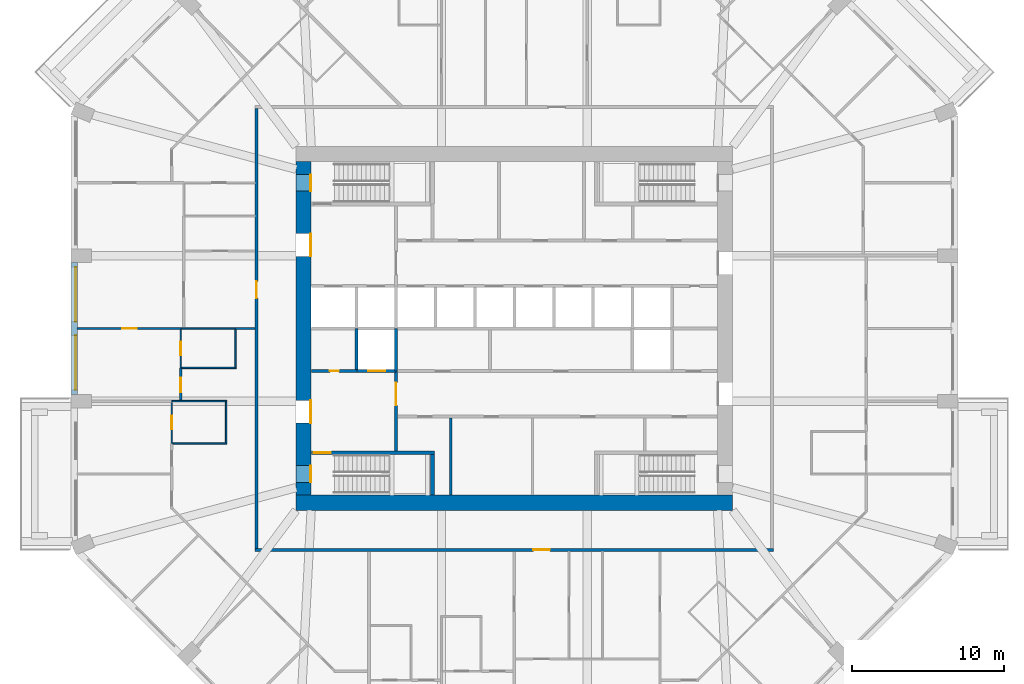
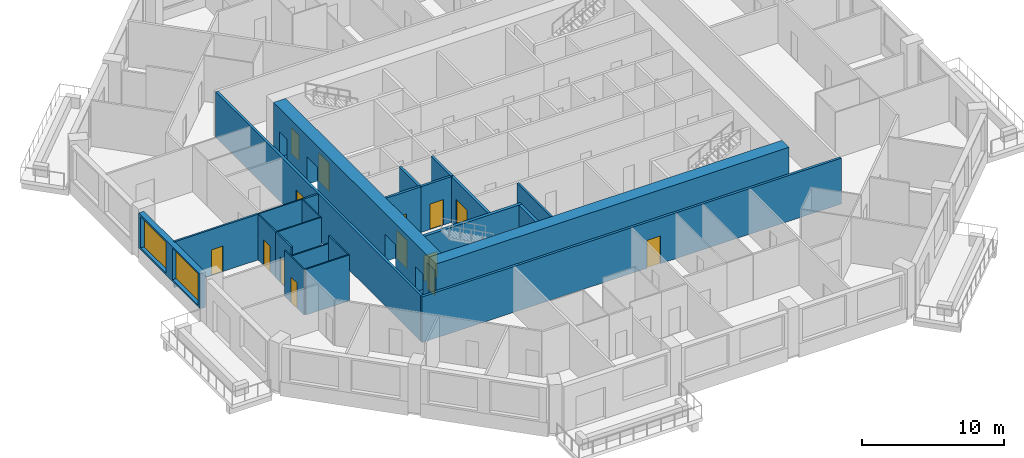
# One storey, part 4 of 13: 24 walls, 14 doors, 2 windows, 16 openings.
"""IFC4 building model written with IfcOpenShell, lengths in metres."""

import ifcopenshell
import ifcopenshell.guid

model = None  # the IFC model being written
_history = None  # IfcOwnerHistory: only IFC2X3 demands one
_inside = {}  # id of a spatial element -> (the spatial element, [elements in it])
_under = {}  # id of a project, library or spatial element -> (it, [spatial elements below it])
_declared = {}  # id of a project -> (the project, [libraries it declares])
_typed = {}  # id of a type object -> (the type object, [elements of that type])
_made_of = {}  # id of a material, layer set ... -> (it, [elements and type objects made of it])


def new_model(schema):
    """Start an empty IFC model of exactly this schema.

    Asked for "IFC4X3", IfcOpenShell would pick the latest addendum, in which some entities
    have other attributes; the version numbers below select the first issue.
    IFC2X3 requires an IfcOwnerHistory on every rooted entity: one is made here for all.
    """
    global model, _history
    if schema == "IFC4X3":
        model = ifcopenshell.file(schema_version=(4, 3, 0, 0))
    else:
        model = ifcopenshell.file(schema=schema)
    _inside.clear()
    _under.clear()
    _declared.clear()
    _typed.clear()
    _made_of.clear()
    _history = None
    if model.schema == "IFC2X3":
        org = make("IfcOrganization", Name="unknown")
        user = make(
            "IfcPersonAndOrganization",
            ThePerson=make("IfcPerson", FamilyName="unknown"),
            TheOrganization=org,
        )
        app = make(
            "IfcApplication",
            ApplicationDeveloper=org,
            Version="unknown",
            ApplicationFullName="unknown",
            ApplicationIdentifier="unknown",
        )
        _history = make(
            "IfcOwnerHistory",
            OwningUser=user,
            OwningApplication=app,
            ChangeAction="ADDED",
            CreationDate=0,
        )
    return model


def make(cls, **values):
    """One entity of the class cls with the attributes given. An attribute that is None is left unset."""
    return model.create_entity(
        cls, **{name: value for name, value in values.items() if value is not None}
    )


def rooted(cls, **values):
    """An entity with a GlobalId (a new one), such as an element, a storey or a relation."""
    return make(cls, GlobalId=ifcopenshell.guid.new(), OwnerHistory=_history, **values)


def si_unit(unit_type, name, prefix=None):
    """IfcSIUnit, for example si_unit("LENGTHUNIT", "METRE", prefix="MILLI")."""
    return make("IfcSIUnit", UnitType=unit_type, Prefix=prefix, Name=name)


def assignment(units):
    """IfcUnitAssignment: the units of a project."""
    return None if units is None else make("IfcUnitAssignment", Units=units)


def point(xyz):
    """IfcCartesianPoint."""
    return None if xyz is None else make("IfcCartesianPoint", Coordinates=xyz)


def direction(xyz):
    """IfcDirection."""
    return None if xyz is None else make("IfcDirection", DirectionRatios=xyz)


def frame(location, z_axis=None, x_axis=None):
    """IfcAxis2Placement3D, a coordinate frame: its origin and axes. An axis left out is left unset."""
    return make(
        "IfcAxis2Placement3D",
        Location=point(location),
        Axis=direction(z_axis),
        RefDirection=direction(x_axis),
    )


def frame_2d(location, x_axis=None):
    """IfcAxis2Placement2D, a coordinate frame in the plane: its origin and x axis."""
    return make(
        "IfcAxis2Placement2D", Location=point(location), RefDirection=direction(x_axis)
    )


def origin():
    """The frame at (0, 0, 0) with its axes left unset."""
    return frame((0.0, 0.0, 0.0))


def place(relative_to, where):
    """IfcLocalPlacement: puts the frame where relative to a parent placement (None: the world)."""
    return make(
        "IfcLocalPlacement", PlacementRelTo=relative_to, RelativePlacement=where
    )


def context(
    kind, dimensions, precision=None, world=None, true_north=None, identifier=None
):
    """IfcGeometricRepresentationContext, for example the 3D "Model" context."""
    return make(
        "IfcGeometricRepresentationContext",
        ContextIdentifier=identifier,
        ContextType=kind,
        CoordinateSpaceDimension=dimensions,
        Precision=precision,
        WorldCoordinateSystem=world,
        TrueNorth=true_north,
    )


def subcontext(parent, identifier, kind, view, scale=None):
    """IfcGeometricRepresentationSubContext, for example "Body" below "Model"."""
    return make(
        "IfcGeometricRepresentationSubContext",
        ContextIdentifier=identifier,
        ContextType=kind,
        ParentContext=parent,
        TargetScale=scale,
        TargetView=view,
    )


def project(units=None, contexts=None):
    """IfcProject with its units and contexts."""
    return rooted(
        "IfcProject",
        Name="project",
        RepresentationContexts=contexts,
        UnitsInContext=assignment(units),
    )


def spatial(cls, under=None, at=None, **own):
    """A site, building, storey or space (cls), placed at a placement, below another one or the project."""
    s = rooted(cls, ObjectPlacement=at, **own)
    if under is not None:
        _under.setdefault(under.id(), (under, []))[1].append(s)
    return s


def profile(cls, at=None, kind="AREA", **sizes):
    """A parametric profile (cls). Its sizes go by their IFC names, for example OverallWidth=200.0."""
    return make(cls, ProfileType=kind, Position=at, **sizes)


def rectangle(**sizes):
    """IfcRectangleProfileDef."""
    return profile("IfcRectangleProfileDef", **sizes)


def extrude(swept, where, along, depth):
    """IfcExtrudedAreaSolid: the profile swept, set in the frame where, extruded along a direction by depth."""
    return make(
        "IfcExtrudedAreaSolid",
        SweptArea=swept,
        Position=where,
        ExtrudedDirection=direction(along),
        Depth=depth,
    )


def shape(context_of_items, identifier, shape_type, items):
    """IfcShapeRepresentation: the items that make up one representation, for example the "Body"."""
    return make(
        "IfcShapeRepresentation",
        ContextOfItems=context_of_items,
        RepresentationIdentifier=identifier,
        RepresentationType=shape_type,
        Items=items,
    )


def material(Name=None, Category=None):
    """IfcMaterial."""
    return make("IfcMaterial", Name=Name, Category=Category)


def layer(
    of_material, thickness, ventilated=None, Name=None, Category=None, Priority=None
):
    """IfcMaterialLayer: one layer of a wall or slab, of a material (None: an air gap)."""
    return make(
        "IfcMaterialLayer",
        Material=of_material,
        LayerThickness=thickness,
        IsVentilated=ventilated,
        Name=Name,
        Category=Category,
        Priority=Priority,
    )


def layer_set(layers, Name=None):
    """IfcMaterialLayerSet."""
    return make("IfcMaterialLayerSet", MaterialLayers=layers, LayerSetName=Name)


def made_of(thing, what):
    """Note that an element or type object is made of a material, layer set ...; save() writes the relation."""
    if what is not None:
        _made_of.setdefault(what.id(), (what, []))[1].append(thing)
    return thing


def type_object(cls, material=None, **own):
    """A type object (cls), such as IfcWallType, which elements share."""
    return made_of(rooted(cls, **own), material)


def element(
    cls,
    number,
    at=None,
    inside=None,
    cuts=None,
    type_object=None,
    material=None,
    context=None,
    identifier="Body",
    shape_type=None,
    held_by="IfcProductDefinitionShape",
    body=None,
    shapes=None,
    **own,
):
    """One element of the class cls, such as IfcWall. Its Tag is "e" and its number.

    at: its placement. inside: the storey or other place that contains it. cuts: it is an
    opening in that element (IfcRelVoidsElement). A single representation is given by context,
    identifier, shape_type and body (its items); several are given by shapes. held_by: the class
    of the entity that holds the representations. save() writes the other relations.
    """
    e = rooted(cls, Tag="e%d" % number, ObjectPlacement=at, **own)
    if body is not None:
        shapes = [shape(context, identifier, shape_type, body)]
    if shapes is not None:
        e.Representation = make(held_by, Representations=shapes)
    if inside is not None:
        _inside.setdefault(inside.id(), (inside, []))[1].append(e)
    if cuts is not None:
        rooted(
            "IfcRelVoidsElement", RelatingBuildingElement=cuts, RelatedOpeningElement=e
        )
    if type_object is not None:
        _typed.setdefault(type_object.id(), (type_object, []))[1].append(e)
    return made_of(e, material)


def fill(opening, filler):
    """IfcRelFillsElement: the door or window that sits in an opening."""
    return rooted(
        "IfcRelFillsElement",
        RelatingOpeningElement=opening,
        RelatedBuildingElement=filler,
    )


def aggregate(whole, parts):
    """IfcRelAggregates: a whole, such as a stair, and the parts it consists of."""
    return rooted("IfcRelAggregates", RelatingObject=whole, RelatedObjects=parts)


def save(model, path):
    """Write the relations noted so far, then the file.

    IfcRelAggregates (storeys below a building ...), IfcRelContainedInSpatialStructure (elements
    in a storey), IfcRelDefinesByType, IfcRelAssociatesMaterial and IfcRelDeclares: one each for
    every whole, place, type object, material and project.
    """
    for whole, parts in _under.values():
        aggregate(whole, parts)
    for where, things in _inside.values():
        rooted(
            "IfcRelContainedInSpatialStructure",
            RelatedElements=things,
            RelatingStructure=where,
        )
    for kind, things in _typed.values():
        rooted("IfcRelDefinesByType", RelatedObjects=things, RelatingType=kind)
    for what, things in _made_of.values():
        rooted("IfcRelAssociatesMaterial", RelatedObjects=things, RelatingMaterial=what)
    for by, libraries in _declared.values():
        rooted("IfcRelDeclares", RelatingContext=by, RelatedDefinitions=libraries)
    model.write(path)


model = new_model("IFC4")

# Units and contexts
model_context = context("Model", 3, precision=1e-05, world=origin(), true_north=direction((0.0, 1.0)))
body_context = subcontext(model_context, "Body", "Model", "MODEL_VIEW")
ifc_project = project(units=[si_unit("LENGTHUNIT", "METRE"), si_unit("AREAUNIT", "SQUARE_METRE"), si_unit("VOLUMEUNIT", "CUBIC_METRE"), si_unit("PLANEANGLEUNIT", "RADIAN"), si_unit("MASSUNIT", "GRAM", prefix="KILO")], contexts=[model_context])

# Site, building, storey
site_placement = place(None, origin())
site = spatial("IfcSite", under=ifc_project, at=site_placement, CompositionType="ELEMENT")
building_placement = place(site_placement, origin())
building = spatial("IfcBuilding", under=site, at=building_placement, Name="Msitu Wima Residences", CompositionType="ELEMENT")
storey_placement = place(building_placement, frame((0.0, 0.0, 88.5)))
storey = spatial("IfcBuildingStorey", under=building, at=storey_placement, Name="L20", CompositionType="ELEMENT", Elevation=88.5)

# Wall, openings, windows
ifc_material_1 = material(Name="Brick (red buff mix)", Category="masonry")
ifc_layer_1 = layer(ifc_material_1, 0.449951171875)
ifc_layer_set_1 = layer_set([ifc_layer_1], Name="Brick (red buff mix)")
wall_type_1 = type_object("IfcWallType", Name="Brick infill wall BW450", PredefinedType="SOLIDWALL", material=ifc_layer_set_1)
wall_1_placement = place(storey_placement, frame((-29.02490234375, 4.35009765625, 0.89990234375), z_axis=(0.0, 0.0, 1.0), x_axis=(0.0, -1.0, 0.0)))
wall_1 = element("IfcWall", 1, at=wall_1_placement, inside=storey, type_object=wall_type_1, Name="Brick infill wall L20 W1", PredefinedType="SOLIDWALL", context=body_context, shape_type="SweptSolid", body=[
    extrude(rectangle(XDim=8.7001953125, YDim=0.449951171875, at=frame_2d((4.35009765625, 0.0))), origin(), (0.0, 0.0, 1.0), 3.0),
])
opening_1_placement = place(wall_1_placement, frame((0.300048828125, 0.0, 0.14990234375)))
opening_1 = element("IfcOpeningElement", 2, at=opening_1_placement, cuts=wall_1, Name="Opening W18-20.031", PredefinedType="OPENING", context=body_context, shape_type="SweptSolid", body=[
    extrude(rectangle(XDim=3.60009765625, YDim=2.699951171875, at=frame_2d((1.800048828125, 1.35009765625))), frame((0.0, 0.23486328125, 0.0), z_axis=(0.0, -1.0, 0.0), x_axis=(1.0, 0.0, 0.0)), (0.0, 0.0, 1.0), 0.469970703125),
])
opening_2_placement = place(wall_1_placement, frame((4.800048828125, 0.0, 0.14990234375)))
opening_2 = element("IfcOpeningElement", 3, at=opening_2_placement, cuts=wall_1, Name="Opening W18-20.032", PredefinedType="OPENING", context=body_context, shape_type="SweptSolid", body=[
    extrude(rectangle(XDim=3.60009765625, YDim=2.699951171875, at=frame_2d((1.800048828125, 1.35009765625))), frame((0.0, 0.23486328125, 0.0), z_axis=(0.0, -1.0, 0.0), x_axis=(1.0, 0.0, 0.0)), (0.0, 0.0, 1.0), 0.469970703125),
])
ifc_material_2 = material(Name="Anodised aluminium, bronze finish, clear low-emissivity double glazing", Category="aluminium")
window_type = type_object("IfcWindowType", Name="Window W3600x2700", PartitioningType="DOUBLE_PANEL_VERTICAL", PredefinedType="WINDOW", material=ifc_material_2)
window_1_placement = place(opening_1_placement, origin())
window_1 = element("IfcWindow", 4, at=window_1_placement, inside=storey, type_object=window_type, Name="Window L20 W1.1", OverallHeight=2.699951171875, OverallWidth=3.60009765625, PartitioningType="SINGLE_PANEL", PredefinedType="WINDOW", context=body_context, shape_type="SweptSolid", body=[
    extrude(rectangle(XDim=3.60009765625, YDim=2.699951171875, at=frame_2d((1.800048828125, 1.35009765625))), frame((0.0, 0.135009765625, 0.0), z_axis=(0.0, -1.0, 0.0), x_axis=(1.0, 0.0, 0.0)), (0.0, 0.0, 1.0), 0.06005859375),
])
fill(opening_1, window_1)
window_2_placement = place(opening_2_placement, origin())
window_2 = element("IfcWindow", 5, at=window_2_placement, inside=storey, type_object=window_type, Name="Window L20 W1.2", OverallHeight=2.699951171875, OverallWidth=3.60009765625, PartitioningType="SINGLE_PANEL", PredefinedType="WINDOW", context=body_context, shape_type="SweptSolid", body=[
    extrude(rectangle(XDim=3.60009765625, YDim=2.699951171875, at=frame_2d((1.800048828125, 1.35009765625))), frame((0.0, 0.135009765625, 0.0), z_axis=(0.0, -1.0, 0.0), x_axis=(1.0, 0.0, 0.0)), (0.0, 0.0, 1.0), 0.06005859375),
])
fill(opening_2, window_2)

# Wall
ifc_material_3 = material(Name="Concrete C80/95", Category="concrete")
ifc_layer_2 = layer(ifc_material_3, 1.0)
ifc_layer_set_2 = layer_set([ifc_layer_2], Name="Concrete C80/95")
wall_type_2 = type_object("IfcWallType", Name="Core wall CW1000 C80/95", PredefinedType="SHEAR", material=ifc_layer_set_2)
wall_2_placement = place(storey_placement, frame((-14.39990234375, -11.5, 0.0), z_axis=(0.0, 0.0, 1.0), x_axis=(1.0, 0.0, 0.0)))
element("IfcWall", 6, at=wall_2_placement, inside=storey, type_object=wall_type_2, Name="Core wall", PredefinedType="SHEAR", context=body_context, shape_type="SweptSolid", body=[
    extrude(rectangle(XDim=28.7998046875, YDim=1.0, at=frame_2d((14.39990234375, 0.0))), origin(), (0.0, 0.0, 1.0), 4.199951171875),
])

# Wall, openings, doors
wall_3_placement = place(storey_placement, frame((-13.89990234375, -11.0, 0.0), z_axis=(0.0, 0.0, 1.0), x_axis=(0.0, 1.0, 0.0)))
wall_3 = element("IfcWall", 7, at=wall_3_placement, inside=storey, type_object=wall_type_2, Name="Core wall", PredefinedType="SHEAR", context=body_context, shape_type="SweptSolid", body=[
    extrude(rectangle(XDim=22.0, YDim=1.0, at=frame_2d((11.0, 0.0))), origin(), (0.0, 0.0, 1.0), 4.199951171875),
])
opening_3_placement = place(wall_3_placement, frame((20.050048828125, 0.0, 0.0)))
opening_3 = element("IfcOpeningElement", 8, at=opening_3_placement, cuts=wall_3, Name="Opening D18-20.031", PredefinedType="OPENING", context=body_context, shape_type="SweptSolid", body=[
    extrude(rectangle(XDim=1.10009765625, YDim=2.199951171875, at=frame_2d((0.550048828125, 1.10009765625))), frame((0.0, 0.510009765625, 0.0), z_axis=(0.0, -1.0, 0.0), x_axis=(1.0, 0.0, 0.0)), (0.0, 0.0, 1.0), 1.02001953125),
])
opening_4_placement = place(wall_3_placement, frame((0.85009765625, 0.0, 0.0)))
opening_4 = element("IfcOpeningElement", 9, at=opening_4_placement, cuts=wall_3, Name="Opening D18-20.033", PredefinedType="OPENING", context=body_context, shape_type="SweptSolid", body=[
    extrude(rectangle(XDim=1.10009765625, YDim=2.199951171875, at=frame_2d((0.550048828125, 1.10009765625))), frame((0.0, 0.510009765625, 0.0), z_axis=(0.0, -1.0, 0.0), x_axis=(1.0, 0.0, 0.0)), (0.0, 0.0, 1.0), 1.02001953125),
])
opening_5_placement = place(wall_3_placement, frame((15.75, 0.0, 0.0)))
opening_5 = element("IfcOpeningElement", 10, at=opening_5_placement, cuts=wall_3, Name="Opening D18-20.012", PredefinedType="OPENING", context=body_context, shape_type="SweptSolid", body=[
    extrude(rectangle(XDim=1.5, YDim=2.39990234375, at=frame_2d((0.75, 1.199951171875))), frame((0.0, 0.510009765625, 0.0), z_axis=(0.0, -1.0, 0.0), x_axis=(1.0, 0.0, 0.0)), (0.0, 0.0, 1.0), 1.02001953125),
])
opening_6_placement = place(wall_3_placement, frame((4.75, 0.0, 0.0)))
opening_6 = element("IfcOpeningElement", 11, at=opening_6_placement, cuts=wall_3, Name="Opening D18-20.014", PredefinedType="OPENING", context=body_context, shape_type="SweptSolid", body=[
    extrude(rectangle(XDim=1.5, YDim=2.39990234375, at=frame_2d((0.75, 1.199951171875))), frame((0.0, 0.510009765625, 0.0), z_axis=(0.0, -1.0, 0.0), x_axis=(1.0, 0.0, 0.0)), (0.0, 0.0, 1.0), 1.02001953125),
])
ifc_material_4 = material(Name="Steel framed glazed door, fire resisting", Category="steel")
door_type_1 = type_object("IfcDoorType", Name="Lobby door D07 1500x2400", OperationType="DOUBLE_DOOR_SINGLE_SWING", PredefinedType="DOOR", material=ifc_material_4)
door_1_placement = place(opening_5_placement, origin())
door_1 = element("IfcDoor", 12, at=door_1_placement, inside=storey, type_object=door_type_1, Name="Lobby door", OperationType="DOUBLE_DOOR_SINGLE_SWING", OverallHeight=2.39990234375, OverallWidth=1.5, PredefinedType="DOOR", context=body_context, shape_type="SweptSolid", body=[
    extrude(rectangle(XDim=1.5, YDim=2.39990234375, at=frame_2d((0.75, 1.199951171875))), frame((0.0, -0.44482421875, 0.0), z_axis=(0.0, -1.0, 0.0), x_axis=(1.0, 0.0, 0.0)), (0.0, 0.0, 1.0), 0.050048828125),
])
fill(opening_5, door_1)
door_2_placement = place(opening_6_placement, origin())
door_2 = element("IfcDoor", 13, at=door_2_placement, inside=storey, type_object=door_type_1, Name="Lobby door", OperationType="DOUBLE_DOOR_SINGLE_SWING", OverallHeight=2.39990234375, OverallWidth=1.5, PredefinedType="DOOR", context=body_context, shape_type="SweptSolid", body=[
    extrude(rectangle(XDim=1.5, YDim=2.39990234375, at=frame_2d((0.75, 1.199951171875))), frame((0.0, -0.44482421875, 0.0), z_axis=(0.0, -1.0, 0.0), x_axis=(1.0, 0.0, 0.0)), (0.0, 0.0, 1.0), 0.050048828125),
])
fill(opening_6, door_2)
ifc_material_5 = material(Name="Steel door, fire resisting, panic bar", Category="steel")
door_type_2 = type_object("IfcDoorType", Name="Stair door D06 1100x2200", OperationType="SINGLE_SWING_LEFT", PredefinedType="DOOR", material=ifc_material_5)
door_3_placement = place(opening_3_placement, origin())
door_3 = element("IfcDoor", 14, at=door_3_placement, inside=storey, type_object=door_type_2, Name="Stair door", OperationType="SINGLE_SWING_RIGHT", OverallHeight=2.199951171875, OverallWidth=1.10009765625, PredefinedType="DOOR", context=body_context, shape_type="SweptSolid", body=[
    extrude(rectangle(XDim=1.10009765625, YDim=2.199951171875, at=frame_2d((0.550048828125, 1.10009765625))), frame((0.0, -0.44482421875, 0.0), z_axis=(0.0, -1.0, 0.0), x_axis=(1.0, 0.0, 0.0)), (0.0, 0.0, 1.0), 0.050048828125),
])
fill(opening_3, door_3)
door_4_placement = place(opening_4_placement, origin())
door_4 = element("IfcDoor", 15, at=door_4_placement, inside=storey, type_object=door_type_2, Name="Stair door", OperationType="SINGLE_SWING_LEFT", OverallHeight=2.199951171875, OverallWidth=1.10009765625, PredefinedType="DOOR", context=body_context, shape_type="SweptSolid", body=[
    extrude(rectangle(XDim=1.10009765625, YDim=2.199951171875, at=frame_2d((0.550048828125, 1.10009765625))), frame((0.0, -0.44482421875, 0.0), z_axis=(0.0, -1.0, 0.0), x_axis=(1.0, 0.0, 0.0)), (0.0, 0.0, 1.0), 0.050048828125),
])
fill(opening_4, door_4)

# Wall, opening, door
ifc_material_6 = material(Name="Plaster")
ifc_layer_3 = layer(ifc_material_6, 0.011962890625, Name="Plaster")
ifc_material_7 = material(Name="Concrete blockwork", Category="masonry")
ifc_layer_4 = layer(ifc_material_7, 0.176025390625, Name="Concrete blockwork")
ifc_layer_5 = layer(ifc_material_6, 0.011962890625, Name="Plaster")
ifc_layer_set_3 = layer_set([ifc_layer_3, ifc_layer_4, ifc_layer_5], Name="Concrete blockwork")
wall_type_3 = type_object("IfcWallType", Name="Corridor wall FW200", PredefinedType="PARTITIONING", material=ifc_layer_set_3)
wall_4_placement = place(storey_placement, frame((-17.0, -14.5, 0.0), z_axis=(0.0, 0.0, 1.0), x_axis=(0.0, 1.0, 0.0)))
wall_4 = element("IfcWall", 16, at=wall_4_placement, inside=storey, type_object=wall_type_3, Name="Corridor wall", PredefinedType="PARTITIONING", context=body_context, shape_type="SweptSolid", body=[
    extrude(rectangle(XDim=29.0, YDim=0.199951171875, at=frame_2d((14.5, 0.0))), origin(), (0.0, 0.0, 1.0), 3.949951171875),
])
opening_7_placement = place(wall_4_placement, frame((16.5, 0.0, 0.0)))
opening_7 = element("IfcOpeningElement", 17, at=opening_7_placement, cuts=wall_4, Name="Opening D18-20.009", PredefinedType="OPENING", context=body_context, shape_type="SweptSolid", body=[
    extrude(rectangle(XDim=1.10009765625, YDim=2.39990234375, at=frame_2d((0.550048828125, 1.199951171875))), frame((0.0, 0.10986328125, 0.0), z_axis=(0.0, -1.0, 0.0), x_axis=(1.0, 0.0, 0.0)), (0.0, 0.0, 1.0), 0.219970703125),
])
ifc_material_8 = material(Name="Timber flush door, fire resisting, self-closing", Category="wood")
door_type_3 = type_object("IfcDoorType", Name="Flat entrance door D01 1100x2400", OperationType="SINGLE_SWING_LEFT", PredefinedType="DOOR", material=ifc_material_8)
door_5_placement = place(opening_7_placement, origin())
door_5 = element("IfcDoor", 18, at=door_5_placement, inside=storey, type_object=door_type_3, Name="Flat entrance door", OperationType="SINGLE_SWING_RIGHT", OverallHeight=2.39990234375, OverallWidth=1.10009765625, PredefinedType="DOOR", context=body_context, shape_type="SweptSolid", body=[
    extrude(rectangle(XDim=1.10009765625, YDim=2.39990234375, at=frame_2d((0.550048828125, 1.199951171875))), frame((0.0, 0.02490234375, 0.0), z_axis=(0.0, -1.0, 0.0), x_axis=(1.0, 0.0, 0.0)), (0.0, 0.0, 1.0), 0.050048828125),
])
fill(opening_7, door_5)

wall_5_placement = place(storey_placement, frame((-17.10009765625, -14.60009765625, 0.0), z_axis=(0.0, 0.0, 1.0), x_axis=(1.0, 0.0, 0.0)))
wall_5 = element("IfcWall", 19, at=wall_5_placement, inside=storey, type_object=wall_type_3, Name="Corridor wall", PredefinedType="PARTITIONING", context=body_context, shape_type="SweptSolid", body=[
    extrude(rectangle(XDim=34.2001953125, YDim=0.199951171875, at=frame_2d((17.10009765625, 0.0))), origin(), (0.0, 0.0, 1.0), 3.949951171875),
])
opening_8_placement = place(wall_5_placement, frame((18.35009765625, 0.0, 0.0)))
opening_8 = element("IfcOpeningElement", 20, at=opening_8_placement, cuts=wall_5, Name="Opening D18-20.010", PredefinedType="OPENING", context=body_context, shape_type="SweptSolid", body=[
    extrude(rectangle(XDim=1.10009765625, YDim=2.39990234375, at=frame_2d((0.550048828125, 1.199951171875))), frame((0.0, 0.10986328125, 0.0), z_axis=(0.0, -1.0, 0.0), x_axis=(1.0, 0.0, 0.0)), (0.0, 0.0, 1.0), 0.219970703125),
])
door_6_placement = place(opening_8_placement, origin())
door_6 = element("IfcDoor", 21, at=door_6_placement, inside=storey, type_object=door_type_3, Name="Flat entrance door", OperationType="SINGLE_SWING_RIGHT", OverallHeight=2.39990234375, OverallWidth=1.10009765625, PredefinedType="DOOR", context=body_context, shape_type="SweptSolid", body=[
    extrude(rectangle(XDim=1.10009765625, YDim=2.39990234375, at=frame_2d((0.550048828125, 1.199951171875))), frame((0.0, 0.02490234375, 0.0), z_axis=(0.0, -1.0, 0.0), x_axis=(1.0, 0.0, 0.0)), (0.0, 0.0, 1.0), 0.050048828125),
])
fill(opening_8, door_6)

wall_6_placement = place(storey_placement, frame((-7.800048828125, -8.074951171875, 0.0), z_axis=(0.0, 0.0, 1.0), x_axis=(0.0, 1.0, 0.0)))
wall_6 = element("IfcWall", 22, at=wall_6_placement, inside=storey, type_object=wall_type_3, Name="Corridor wall", PredefinedType="PARTITIONING", context=body_context, shape_type="SweptSolid", body=[
    extrude(rectangle(XDim=5.27490234375, YDim=0.199951171875, at=frame_2d((2.637451171875, 0.0))), origin(), (0.0, 0.0, 1.0), 3.949951171875),
])
opening_9_placement = place(wall_6_placement, frame((3.0, 0.0, 0.0)))
opening_9 = element("IfcOpeningElement", 23, at=opening_9_placement, cuts=wall_6, Name="Opening D18-20.015", PredefinedType="OPENING", context=body_context, shape_type="SweptSolid", body=[
    extrude(rectangle(XDim=1.5, YDim=2.39990234375, at=frame_2d((0.75, 1.199951171875))), frame((0.0, 0.10986328125, 0.0), z_axis=(0.0, -1.0, 0.0), x_axis=(1.0, 0.0, 0.0)), (0.0, 0.0, 1.0), 0.219970703125),
])
door_7_placement = place(opening_9_placement, origin())
door_7 = element("IfcDoor", 24, at=door_7_placement, inside=storey, type_object=door_type_1, Name="Lobby door", OperationType="DOUBLE_DOOR_SINGLE_SWING", OverallHeight=2.39990234375, OverallWidth=1.5, PredefinedType="DOOR", context=body_context, shape_type="SweptSolid", body=[
    extrude(rectangle(XDim=1.5, YDim=2.39990234375, at=frame_2d((0.75, 1.199951171875))), frame((0.0, 0.02490234375, 0.0), z_axis=(0.0, -1.0, 0.0), x_axis=(1.0, 0.0, 0.0)), (0.0, 0.0, 1.0), 0.050048828125),
])
fill(opening_9, door_7)

ifc_layer_6 = layer(ifc_material_6, 0.011962890625, Name="Plaster")
ifc_layer_7 = layer(ifc_material_7, 0.1259765625, Name="Concrete blockwork")
ifc_layer_8 = layer(ifc_material_6, 0.011962890625, Name="Plaster")
ifc_layer_set_4 = layer_set([ifc_layer_6, ifc_layer_7, ifc_layer_8], Name="Concrete blockwork")
wall_type_4 = type_object("IfcWallType", Name="Partition PW150", PredefinedType="PARTITIONING", material=ifc_layer_set_4)
wall_7_placement = place(storey_placement, frame((-28.85498046875, 0.0, 0.0), z_axis=(0.0, 0.0, 1.0), x_axis=(1.0, 0.0, 0.0)))
wall_7 = element("IfcWall", 25, at=wall_7_placement, inside=storey, type_object=wall_type_4, Name="Partition", PredefinedType="PARTITIONING", context=body_context, shape_type="SweptSolid", body=[
    extrude(rectangle(XDim=6.875, YDim=0.14990234375, at=frame_2d((3.4375, 0.0))), origin(), (0.0, 0.0, 1.0), 3.949951171875),
])
opening_10_placement = place(wall_7_placement, frame((3.0, 0.0, 0.0)))
opening_10 = element("IfcOpeningElement", 26, at=opening_10_placement, cuts=wall_7, Name="Opening D18-20.054", PredefinedType="OPENING", context=body_context, shape_type="SweptSolid", body=[
    extrude(rectangle(XDim=0.949951171875, YDim=2.199951171875, at=frame_2d((0.47509765625, 1.10009765625))), frame((0.0, 0.0849609375, 0.0), z_axis=(0.0, -1.0, 0.0), x_axis=(1.0, 0.0, 0.0)), (0.0, 0.0, 1.0), 0.169921875),
])
ifc_material_9 = material(Name="Timber flush door", Category="wood")
door_type_4 = type_object("IfcDoorType", Name="Room door D12 950x2200", OperationType="SINGLE_SWING_LEFT", PredefinedType="DOOR", material=ifc_material_9)
door_8_placement = place(opening_10_placement, origin())
door_8 = element("IfcDoor", 27, at=door_8_placement, inside=storey, type_object=door_type_4, Name="Room door", OperationType="SINGLE_SWING_RIGHT", OverallHeight=2.199951171875, OverallWidth=0.949951171875, PredefinedType="DOOR", context=body_context, shape_type="SweptSolid", body=[
    extrude(rectangle(XDim=0.949951171875, YDim=2.199951171875, at=frame_2d((0.47509765625, 1.10009765625))), frame((0.0, 0.02490234375, 0.0), z_axis=(0.0, -1.0, 0.0), x_axis=(1.0, 0.0, 0.0)), (0.0, 0.0, 1.0), 0.050048828125),
])
fill(opening_10, door_8)

wall_8_placement = place(storey_placement, frame((-22.0, -4.75, 0.0), z_axis=(0.0, 0.0, 1.0), x_axis=(0.0, 1.0, 0.0)))
wall_8 = element("IfcWall", 28, at=wall_8_placement, inside=storey, type_object=wall_type_4, Name="Partition", PredefinedType="PARTITIONING", context=body_context, shape_type="SweptSolid", body=[
    extrude(rectangle(XDim=2.1298828125, YDim=0.14990234375, at=frame_2d((1.06494140625, 0.0))), origin(), (0.0, 0.0, 1.0), 3.949951171875),
])
opening_11_placement = place(wall_8_placement, frame((0.550048828125, 0.0, 0.0)))
opening_11 = element("IfcOpeningElement", 29, at=opening_11_placement, cuts=wall_8, Name="Opening D18-20.056", PredefinedType="OPENING", context=body_context, shape_type="SweptSolid", body=[
    extrude(rectangle(XDim=0.949951171875, YDim=2.199951171875, at=frame_2d((0.47509765625, 1.10009765625))), frame((0.0, 0.0849609375, 0.0), z_axis=(0.0, -1.0, 0.0), x_axis=(1.0, 0.0, 0.0)), (0.0, 0.0, 1.0), 0.169921875),
])
door_9_placement = place(opening_11_placement, origin())
door_9 = element("IfcDoor", 30, at=door_9_placement, inside=storey, type_object=door_type_4, Name="Room door", OperationType="SINGLE_SWING_LEFT", OverallHeight=2.199951171875, OverallWidth=0.949951171875, PredefinedType="DOOR", context=body_context, shape_type="SweptSolid", body=[
    extrude(rectangle(XDim=0.949951171875, YDim=2.199951171875, at=frame_2d((0.47509765625, 1.10009765625))), frame((0.0, 0.02490234375, 0.0), z_axis=(0.0, -1.0, 0.0), x_axis=(1.0, 0.0, 0.0)), (0.0, 0.0, 1.0), 0.050048828125),
])
fill(opening_11, door_9)

# Walls
wall_9_placement = place(storey_placement, frame((-18.3798828125, 0.0, 0.0), z_axis=(0.0, 0.0, 1.0), x_axis=(1.0, 0.0, 0.0)))
element("IfcWall", 31, at=wall_9_placement, inside=storey, type_object=wall_type_4, Name="Partition", PredefinedType="PARTITIONING", context=body_context, shape_type="SweptSolid", body=[
    extrude(rectangle(XDim=1.27978515625, YDim=0.14990234375, at=frame_2d((0.639892578125, 0.0))), origin(), (0.0, 0.0, 1.0), 3.949951171875),
])
wall_10_placement = place(storey_placement, frame((-4.199951171875, -10.969970703125, 0.0), z_axis=(0.0, 0.0, 1.0), x_axis=(0.0, 1.0, 0.0)))
element("IfcWall", 32, at=wall_10_placement, inside=storey, type_object=wall_type_4, Name="Partition", PredefinedType="PARTITIONING", context=body_context, shape_type="SweptSolid", body=[
    extrude(rectangle(XDim=5.070068359375, YDim=0.14990234375, at=frame_2d((2.53515625, 0.0))), origin(), (0.0, 0.0, 1.0), 3.949951171875),
])

# Wall, opening, door
ifc_layer_9 = layer(ifc_material_6, 0.011962890625, Name="Plaster")
ifc_material_10 = material(Name="Reinforced concrete blockwork", Category="masonry")
ifc_layer_10 = layer(ifc_material_10, 0.176025390625, Name="Reinforced concrete blockwork")
ifc_layer_11 = layer(ifc_material_6, 0.011962890625, Name="Plaster")
ifc_layer_set_5 = layer_set([ifc_layer_9, ifc_layer_10, ifc_layer_11], Name="Reinforced concrete blockwork")
wall_type_5 = type_object("IfcWallType", Name="Plant and riser wall PL200", PredefinedType="PARTITIONING", material=ifc_layer_set_5)
wall_11_placement = place(storey_placement, frame((-13.3701171875, -2.800048828125, 0.0), z_axis=(0.0, 0.0, 1.0), x_axis=(1.0, 0.0, 0.0)))
wall_11 = element("IfcWall", 33, at=wall_11_placement, inside=storey, type_object=wall_type_5, Name="Plant and riser wall", PredefinedType="PARTITIONING", context=body_context, shape_type="SweptSolid", body=[
    extrude(rectangle(XDim=2.990234375, YDim=0.199951171875, at=frame_2d((1.4951171875, 0.0))), origin(), (0.0, 0.0, 1.0), 3.949951171875),
])
opening_12_placement = place(wall_11_placement, frame((1.199951171875, 0.0, 0.0)))
opening_12 = element("IfcOpeningElement", 34, at=opening_12_placement, cuts=wall_11, Name="Opening D18-20.028", PredefinedType="OPENING", context=body_context, shape_type="SweptSolid", body=[
    extrude(rectangle(XDim=0.60009765625, YDim=2.0, at=frame_2d((0.300048828125, 1.0))), frame((0.0, 0.10986328125, 0.0), z_axis=(0.0, -1.0, 0.0), x_axis=(1.0, 0.0, 0.0)), (0.0, 0.0, 1.0), 0.219970703125),
])
ifc_material_11 = material(Name="Steel access door, fire resisting", Category="steel")
door_type_5 = type_object("IfcDoorType", Name="Riser access door D08 600x2000", OperationType="SINGLE_SWING_LEFT", PredefinedType="DOOR", material=ifc_material_11)
door_10_placement = place(opening_12_placement, origin())
door_10 = element("IfcDoor", 35, at=door_10_placement, inside=storey, type_object=door_type_5, Name="Riser access door", OperationType="SINGLE_SWING_RIGHT", OverallHeight=2.0, OverallWidth=0.60009765625, PredefinedType="DOOR", context=body_context, shape_type="SweptSolid", body=[
    extrude(rectangle(XDim=0.60009765625, YDim=2.0, at=frame_2d((0.300048828125, 1.0))), frame((0.0, 0.02490234375, 0.0), z_axis=(0.0, -1.0, 0.0), x_axis=(1.0, 0.0, 0.0)), (0.0, 0.0, 1.0), 0.050048828125),
])
fill(opening_12, door_10)

# Wall
ifc_material_12 = material(Name="Fire-rated board")
ifc_layer_12 = layer(ifc_material_12, 0.02490234375, Name="Fire-rated board")
ifc_material_13 = material(Name="Light-gauge stud framing with mineral wool")
ifc_layer_13 = layer(ifc_material_13, 0.14990234375, Name="Light-gauge stud framing with mineral wool")
ifc_layer_14 = layer(ifc_material_12, 0.02490234375, Name="Fire-rated board")
ifc_layer_set_6 = layer_set([ifc_layer_12, ifc_layer_13, ifc_layer_14], Name="Light-gauge stud framing with mineral wool")
wall_type_6 = type_object("IfcWallType", Name="Shaft wall SH200", PredefinedType="PARTITIONING", material=ifc_layer_set_6)
wall_12_placement = place(storey_placement, frame((-10.39990234375, -2.699951171875, 0.0), z_axis=(0.0, 0.0, 1.0), x_axis=(0.0, 1.0, 0.0)))
element("IfcWall", 36, at=wall_12_placement, inside=storey, type_object=wall_type_6, Name="Shaft wall", PredefinedType="PARTITIONING", context=body_context, shape_type="SweptSolid", body=[
    extrude(rectangle(XDim=2.699951171875, YDim=0.199951171875, at=frame_2d((1.35009765625, 0.0))), origin(), (0.0, 0.0, 1.0), 3.949951171875),
])

# Wall, opening, door
wall_13_placement = place(storey_placement, frame((-10.3798828125, -2.800048828125, 0.0), z_axis=(0.0, 0.0, 1.0), x_axis=(1.0, 0.0, 0.0)))
wall_13 = element("IfcWall", 37, at=wall_13_placement, inside=storey, type_object=wall_type_6, Name="Shaft wall", PredefinedType="PARTITIONING", context=body_context, shape_type="SweptSolid", body=[
    extrude(rectangle(XDim=2.559814453125, YDim=0.199951171875, at=frame_2d((1.27978515625, 0.0))), origin(), (0.0, 0.0, 1.0), 3.949951171875),
])
opening_13_placement = place(wall_13_placement, frame((0.75, 0.0, 0.0)))
opening_13 = element("IfcOpeningElement", 38, at=opening_13_placement, cuts=wall_13, Name="Opening LD", PredefinedType="OPENING", context=body_context, shape_type="SweptSolid", body=[
    extrude(rectangle(XDim=1.10009765625, YDim=2.199951171875, at=frame_2d((0.550048828125, 1.10009765625))), frame((0.0, 0.10986328125, 0.0), z_axis=(0.0, -1.0, 0.0), x_axis=(1.0, 0.0, 0.0)), (0.0, 0.0, 1.0), 0.219970703125),
])
ifc_material_14 = material(Name="Stainless steel centre-opening landing door, rated", Category="steel")
door_type_6 = type_object("IfcDoorType", Name="Lift landing door LD 1100x2200", OperationType="DOUBLE_DOOR_SLIDING", PredefinedType="DOOR", material=ifc_material_14)
door_11_placement = place(opening_13_placement, origin())
door_11 = element("IfcDoor", 39, at=door_11_placement, inside=storey, type_object=door_type_6, Name="Lift landing door LD3", OperationType="DOUBLE_DOOR_SLIDING", OverallHeight=2.199951171875, OverallWidth=1.10009765625, PredefinedType="DOOR", context=body_context, shape_type="SweptSolid", body=[
    extrude(rectangle(XDim=1.10009765625, YDim=2.199951171875, at=frame_2d((0.550048828125, 1.10009765625))), frame((0.0, 0.02490234375, 0.0), z_axis=(0.0, -1.0, 0.0), x_axis=(1.0, 0.0, 0.0)), (0.0, 0.0, 1.0), 0.050048828125),
])
fill(opening_13, door_11)

# Wall
wall_14_placement = place(storey_placement, frame((-7.800048828125, -2.800048828125, 0.0), z_axis=(0.0, 0.0, 1.0), x_axis=(0.0, 1.0, 0.0)))
element("IfcWall", 40, at=wall_14_placement, inside=storey, type_object=wall_type_6, Name="Shaft wall", PredefinedType="PARTITIONING", context=body_context, shape_type="SweptSolid", body=[
    extrude(rectangle(XDim=2.800048828125, YDim=0.199951171875, at=frame_2d((1.39990234375, 0.0))), origin(), (0.0, 0.0, 1.0), 3.949951171875),
])

# Wall, opening, door
ifc_material_15 = material(Name="Concrete C50/60", Category="concrete")
ifc_layer_15 = layer(ifc_material_15, 0.25)
ifc_layer_set_7 = layer_set([ifc_layer_15], Name="Concrete C50/60")
wall_type_7 = type_object("IfcWallType", Name="Stair enclosure wall SW250", PredefinedType="SHEAR", material=ifc_layer_set_7)
wall_15_placement = place(storey_placement, frame((-13.3701171875, -8.199951171875, 0.0), z_axis=(0.0, 0.0, 1.0), x_axis=(1.0, 0.0, 0.0)))
wall_15 = element("IfcWall", 41, at=wall_15_placement, inside=storey, type_object=wall_type_7, Name="Stair enclosure wall", PredefinedType="SHEAR", context=body_context, shape_type="SweptSolid", body=[
    extrude(rectangle(XDim=8.09521484375, YDim=0.25, at=frame_2d((4.047607421875, 0.0))), origin(), (0.0, 0.0, 1.0), 3.949951171875),
])
opening_14_placement = place(wall_15_placement, frame((0.14990234375, 0.0, 0.0)))
opening_14 = element("IfcOpeningElement", 42, at=opening_14_placement, cuts=wall_15, Name="Opening D18-20.034", PredefinedType="OPENING", context=body_context, shape_type="SweptSolid", body=[
    extrude(rectangle(XDim=1.10009765625, YDim=2.199951171875, at=frame_2d((0.550048828125, 1.10009765625))), frame((0.0, 0.135009765625, 0.0), z_axis=(0.0, -1.0, 0.0), x_axis=(1.0, 0.0, 0.0)), (0.0, 0.0, 1.0), 0.27001953125),
])
door_12_placement = place(opening_14_placement, origin())
door_12 = element("IfcDoor", 43, at=door_12_placement, inside=storey, type_object=door_type_2, Name="Stair door", OperationType="SINGLE_SWING_RIGHT", OverallHeight=2.199951171875, OverallWidth=1.10009765625, PredefinedType="DOOR", context=body_context, shape_type="SweptSolid", body=[
    extrude(rectangle(XDim=1.10009765625, YDim=2.199951171875, at=frame_2d((0.550048828125, 1.10009765625))), frame((0.0, 0.02490234375, 0.0), z_axis=(0.0, -1.0, 0.0), x_axis=(1.0, 0.0, 0.0)), (0.0, 0.0, 1.0), 0.050048828125),
])
fill(opening_14, door_12)

# Walls
wall_16_placement = place(storey_placement, frame((-5.39990234375, -10.969970703125, 0.0), z_axis=(0.0, 0.0, 1.0), x_axis=(0.0, 1.0, 0.0)))
element("IfcWall", 44, at=wall_16_placement, inside=storey, type_object=wall_type_7, Name="Stair enclosure wall", PredefinedType="SHEAR", context=body_context, shape_type="SweptSolid", body=[
    extrude(rectangle(XDim=2.64501953125, YDim=0.25, at=frame_2d((1.322509765625, 0.0))), origin(), (0.0, 0.0, 1.0), 3.949951171875),
])
ifc_material_16 = material(Name="Ceramic tiles")
ifc_layer_16 = layer(ifc_material_16, 0.008056640625, Name="Ceramic tiles")
ifc_material_17 = material(Name="Moisture-resistant board")
ifc_layer_17 = layer(ifc_material_17, 0.012451171875, Name="Moisture-resistant board")
ifc_layer_18 = layer(ifc_material_13, 0.06689453125, Name="Light-gauge stud framing with mineral wool")
ifc_layer_19 = layer(ifc_material_17, 0.012451171875, Name="Moisture-resistant board")
ifc_layer_set_8 = layer_set([ifc_layer_16, ifc_layer_17, ifc_layer_18, ifc_layer_19], Name="Light-gauge stud framing with mineral wool")
wall_type_8 = type_object("IfcWallType", Name="Wet wall PW100", PredefinedType="PARTITIONING", material=ifc_layer_set_8)
wall_17_placement = place(storey_placement, frame((-22.580078125, -4.800048828125, 0.0), z_axis=(0.0, 0.0, 1.0), x_axis=(1.0, 0.0, 0.0)))
element("IfcWall", 45, at=wall_17_placement, inside=storey, type_object=wall_type_8, Name="Wet wall", PredefinedType="PARTITIONING", context=body_context, shape_type="SweptSolid", body=[
    extrude(rectangle(XDim=3.630126953125, YDim=0.10009765625, at=frame_2d((1.81494140625, 0.0))), origin(), (0.0, 0.0, 1.0), 3.25),
])

# Wall, opening, door
wall_18_placement = place(storey_placement, frame((-22.60009765625, -7.60009765625, 0.0), z_axis=(0.0, 0.0, 1.0), x_axis=(0.0, 1.0, 0.0)))
wall_18 = element("IfcWall", 46, at=wall_18_placement, inside=storey, type_object=wall_type_8, Name="Wet wall", PredefinedType="PARTITIONING", context=body_context, shape_type="SweptSolid", body=[
    extrude(rectangle(XDim=2.72509765625, YDim=0.10009765625, at=frame_2d((1.362548828125, 0.0))), origin(), (0.0, 0.0, 1.0), 3.949951171875),
])
opening_15_placement = place(wall_18_placement, frame((0.949951171875, 0.0, 0.0)))
opening_15 = element("IfcOpeningElement", 47, at=opening_15_placement, cuts=wall_18, Name="Opening D18-20.061", PredefinedType="OPENING", context=body_context, shape_type="SweptSolid", body=[
    extrude(rectangle(XDim=0.89990234375, YDim=2.199951171875, at=frame_2d((0.449951171875, 1.10009765625))), frame((0.0, 0.06005859375, 0.0), z_axis=(0.0, -1.0, 0.0), x_axis=(1.0, 0.0, 0.0)), (0.0, 0.0, 1.0), 0.1201171875),
])
ifc_material_18 = material(Name="Timber flush door, moisture resistant", Category="wood")
door_type_7 = type_object("IfcDoorType", Name="Bathroom door D03 900x2200", OperationType="SINGLE_SWING_LEFT", PredefinedType="DOOR", material=ifc_material_18)
door_13_placement = place(opening_15_placement, origin())
door_13 = element("IfcDoor", 48, at=door_13_placement, inside=storey, type_object=door_type_7, Name="Bathroom door", OperationType="SINGLE_SWING_LEFT", OverallHeight=2.199951171875, OverallWidth=0.89990234375, PredefinedType="DOOR", context=body_context, shape_type="SweptSolid", body=[
    extrude(rectangle(XDim=0.89990234375, YDim=2.199951171875, at=frame_2d((0.449951171875, 1.10009765625))), frame((0.0, 0.02490234375, 0.0), z_axis=(0.0, -1.0, 0.0), x_axis=(1.0, 0.0, 0.0)), (0.0, 0.0, 1.0), 0.050048828125),
])
fill(opening_15, door_13)

# Walls
wall_19_placement = place(storey_placement, frame((-22.52490234375, -7.60009765625, 0.0), z_axis=(0.0, 0.0, 1.0), x_axis=(1.0, 0.0, 0.0)))
element("IfcWall", 49, at=wall_19_placement, inside=storey, type_object=wall_type_8, Name="Wet wall", PredefinedType="PARTITIONING", context=body_context, shape_type="SweptSolid", body=[
    extrude(rectangle(XDim=3.574951171875, YDim=0.10009765625, at=frame_2d((1.78759765625, 0.0))), origin(), (0.0, 0.0, 1.0), 3.949951171875),
])
wall_20_placement = place(storey_placement, frame((-21.97998046875, 0.0, 0.0), z_axis=(0.0, 0.0, 1.0), x_axis=(1.0, 0.0, 0.0)))
element("IfcWall", 50, at=wall_20_placement, inside=storey, type_object=wall_type_8, Name="Wet wall", PredefinedType="PARTITIONING", context=body_context, shape_type="SweptSolid", body=[
    extrude(rectangle(XDim=3.60009765625, YDim=0.10009765625, at=frame_2d((1.800048828125, 0.0))), origin(), (0.0, 0.0, 1.0), 3.949951171875),
])

# Wall, opening, door
wall_21_placement = place(storey_placement, frame((-22.0, -2.6201171875, 0.0), z_axis=(0.0, 0.0, 1.0), x_axis=(0.0, 1.0, 0.0)))
wall_21 = element("IfcWall", 51, at=wall_21_placement, inside=storey, type_object=wall_type_8, Name="Wet wall", PredefinedType="PARTITIONING", context=body_context, shape_type="SweptSolid", body=[
    extrude(rectangle(XDim=2.545166015625, YDim=0.10009765625, at=frame_2d((1.2724609375, 0.0))), origin(), (0.0, 0.0, 1.0), 3.949951171875),
])
opening_16_placement = place(wall_21_placement, frame((0.85009765625, 0.0, 0.0)))
opening_16 = element("IfcOpeningElement", 52, at=opening_16_placement, cuts=wall_21, Name="Opening D18-20.055", PredefinedType="OPENING", context=body_context, shape_type="SweptSolid", body=[
    extrude(rectangle(XDim=0.89990234375, YDim=2.199951171875, at=frame_2d((0.449951171875, 1.10009765625))), frame((0.0, 0.06005859375, 0.0), z_axis=(0.0, -1.0, 0.0), x_axis=(1.0, 0.0, 0.0)), (0.0, 0.0, 1.0), 0.1201171875),
])
door_14_placement = place(opening_16_placement, origin())
door_14 = element("IfcDoor", 53, at=door_14_placement, inside=storey, type_object=door_type_7, Name="Bathroom door", OperationType="SINGLE_SWING_RIGHT", OverallHeight=2.199951171875, OverallWidth=0.89990234375, PredefinedType="DOOR", context=body_context, shape_type="SweptSolid", body=[
    extrude(rectangle(XDim=0.89990234375, YDim=2.199951171875, at=frame_2d((0.449951171875, 1.10009765625))), frame((0.0, 0.02490234375, 0.0), z_axis=(0.0, -1.0, 0.0), x_axis=(1.0, 0.0, 0.0)), (0.0, 0.0, 1.0), 0.050048828125),
])
fill(opening_16, door_14)

# Walls
wall_22_placement = place(storey_placement, frame((-21.925048828125, -2.60009765625, 0.0), z_axis=(0.0, 0.0, 1.0), x_axis=(1.0, 0.0, 0.0)))
element("IfcWall", 54, at=wall_22_placement, inside=storey, type_object=wall_type_8, Name="Wet wall", PredefinedType="PARTITIONING", context=body_context, shape_type="SweptSolid", body=[
    extrude(rectangle(XDim=3.574951171875, YDim=0.10009765625, at=frame_2d((1.78759765625, 0.0))), origin(), (0.0, 0.0, 1.0), 3.949951171875),
])
wall_23_placement = place(storey_placement, frame((-19.0, -7.550048828125, 0.0), z_axis=(0.0, 0.0, 1.0), x_axis=(0.0, 1.0, 0.0)))
element("IfcWall", 55, at=wall_23_placement, inside=storey, type_object=wall_type_8, Name="Wet wall", PredefinedType="PARTITIONING", context=body_context, shape_type="SweptSolid", body=[
    extrude(rectangle(XDim=2.699951171875, YDim=0.10009765625, at=frame_2d((1.35009765625, 0.0))), origin(), (0.0, 0.0, 1.0), 3.949951171875),
])
wall_24_placement = place(storey_placement, frame((-18.39990234375, -2.550048828125, 0.0), z_axis=(0.0, 0.0, 1.0), x_axis=(0.0, 1.0, 0.0)))
element("IfcWall", 56, at=wall_24_placement, inside=storey, type_object=wall_type_8, Name="Wet wall", PredefinedType="PARTITIONING", context=body_context, shape_type="SweptSolid", body=[
    extrude(rectangle(XDim=2.47509765625, YDim=0.10009765625, at=frame_2d((1.237548828125, 0.0))), origin(), (0.0, 0.0, 1.0), 3.949951171875),
])

save(model, "model.ifc")
